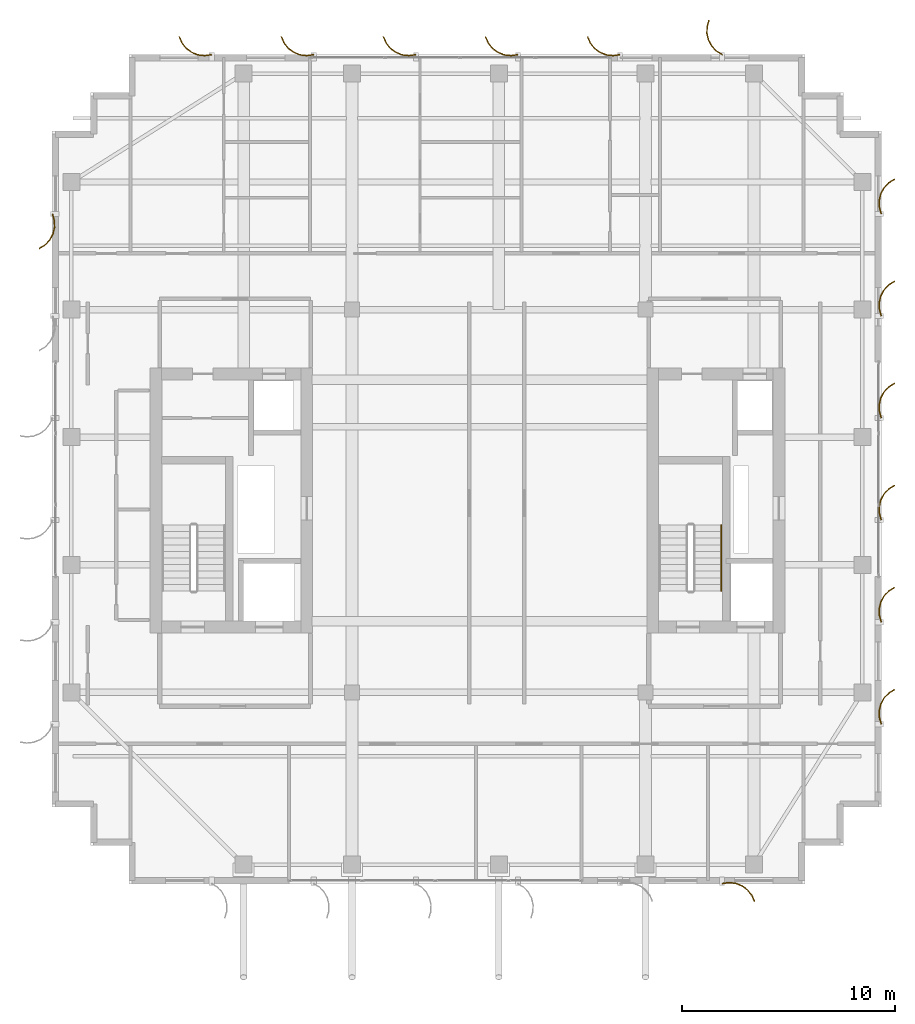
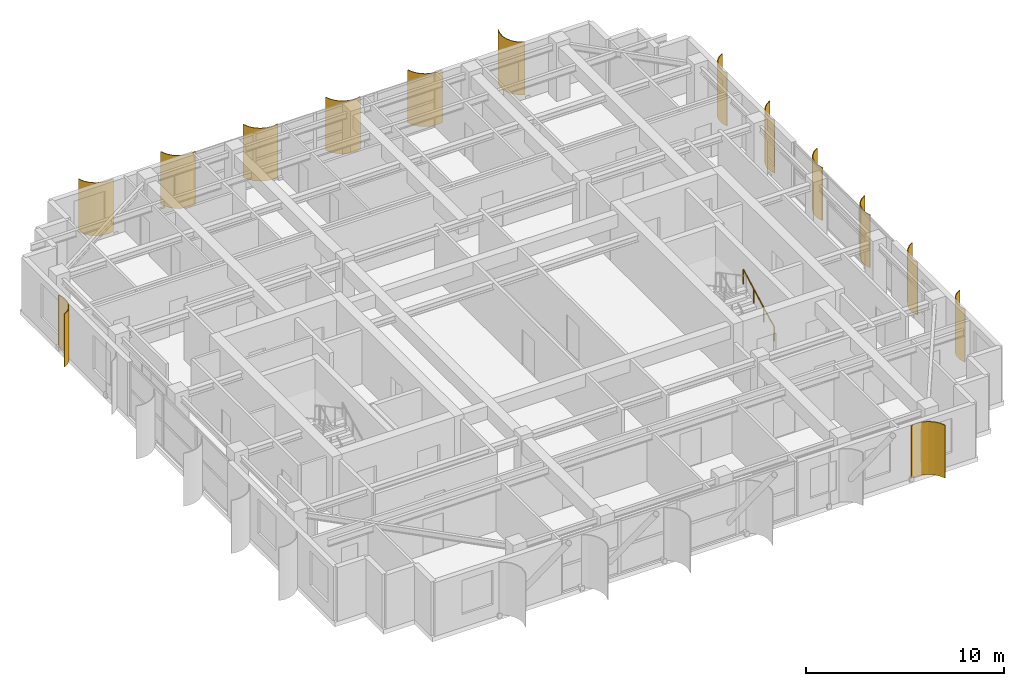
# One storey, part 22 of 22: 14 shading devices, 1 railing.
"""IFC4 building model written with IfcOpenShell, lengths in metres."""

from ifc_helpers import new_model, si_unit, direction, frame, origin, origin_2d, place, context, subcontext, project, spatial, polyline, circle, outline, extrude, source, transform, mapped, material, layer, layer_set, type_object, element, save


model = new_model("IFC4")

# Units and contexts
model_context = context("Model", 3, precision=1e-05, world=origin(), true_north=direction((0.0, 1.0)))
body_context = subcontext(model_context, "Body", "Model", "MODEL_VIEW")
ifc_project = project(units=[si_unit("LENGTHUNIT", "METRE"), si_unit("AREAUNIT", "SQUARE_METRE"), si_unit("VOLUMEUNIT", "CUBIC_METRE"), si_unit("PLANEANGLEUNIT", "RADIAN"), si_unit("MASSUNIT", "GRAM", prefix="KILO")], contexts=[model_context])

# Site, building, storey
site_placement = place(None, origin())
site = spatial("IfcSite", under=ifc_project, at=site_placement, CompositionType="ELEMENT")
building_placement = place(site_placement, origin())
building = spatial("IfcBuilding", under=site, at=building_placement, Name="Khoralis Quay Care Tower", CompositionType="ELEMENT")
storey_placement = place(building_placement, frame((0.0, 0.0, 278.10009765625)))
storey = spatial("IfcBuildingStorey", under=building, at=storey_placement, Name="L73", CompositionType="ELEMENT", Elevation=278.10009765625)

# Railing
ifc_material_1 = material(Name="Brushed stainless steel", Category="steel")
railing_type = type_object("IfcRailingType", Name="RL-HAND-900", PredefinedType="HANDRAIL", material=ifc_material_1)
railing_placement = place(storey_placement, frame((34.469970703125, 16.77001953125, 0.16357421875)))
element("IfcRailing", 1, at=railing_placement, inside=storey, type_object=railing_type, Name="L73 ST-T2 stair handrail 1", PredefinedType="HANDRAIL", context=body_context, shape_type="SweptSolid", body=[
    extrude(circle(Radius=0.02392578125, at=origin_2d()), frame((0.0, 0.0, 0.8759765625), z_axis=(0.0, 0.884376766648, 0.46677375099), x_axis=(-1.0, 0.0, 0.0)), (0.0, 0.0, 1.0), 3.50537109375),
    extrude(circle(Radius=0.02099609375, at=origin_2d()), origin(), (0.0, 0.0, 1.0), 0.851806640625),
    extrude(circle(Radius=0.02099609375, at=origin_2d()), frame((0.0, 1.033447265625, 0.54541015625)), (0.0, 0.0, 1.0), 0.851806640625),
    extrude(circle(Radius=0.02099609375, at=origin_2d()), frame((0.0, 2.066650390625, 1.0908203125)), (0.0, 0.0, 1.0), 0.851806640625),
    extrude(circle(Radius=0.02099609375, at=origin_2d()), frame((0.0, 3.10009765625, 1.63623046875)), (0.0, 0.0, 1.0), 0.851806640625),
])

# Shading devices
ifc_material_2 = material(Name="Brushed pale anodised aluminium", Category="aluminium")
ifc_layer = layer(ifc_material_2, 0.044921875)
ifc_layer_set = layer_set([ifc_layer], Name="Brushed pale anodised aluminium")
shading_device_type = type_object("IfcShadingDeviceType", Name="SHD-FIN-1250", PredefinedType="USERDEFINED", material=ifc_layer_set)
shared_shape_1 = source(origin(), body_context, "Body", "SweptSolid", [
    extrude(outline(polyline([(0.0, 0.0), (0.17041015625, 0.2783203125), (0.4072265625, 0.5029296875), (0.694091796875, 0.658447265625), (1.01123046875, 0.734619140625), (1.33740234375, 0.72607421875), (1.650390625, 0.633544921875), (1.632080078125, 0.59228515625), (1.330322265625, 0.681640625), (1.015869140625, 0.68994140625), (0.710205078125, 0.616455078125), (0.43359375, 0.466552734375), (0.20556640625, 0.25), (0.041015625, -0.018310546875), (0.0, 0.0)])), origin(), (0.0, 0.0, 1.0), 3.259765625),
])
shading_device_placement = place(storey_placement, frame((34.5, 41.969970703125, 0.02001953125), z_axis=(0.0, 0.0, 1.0), x_axis=(0.0, 1.0, 0.0)))
element("IfcShadingDevice", 2, at=shading_device_placement, inside=storey, type_object=shading_device_type, Name="L73 Curved Solar Fin P1E10-01", ObjectType="FIN", PredefinedType="USERDEFINED", context=body_context, shape_type="MappedRepresentation", body=[
    mapped(shared_shape_1, transform((0.0, 0.0, 0.0), scale=1.0)),
])
shared_shape_2 = source(origin(), body_context, "Body", "SweptSolid", [
    extrude(outline(polyline([(0.0, 0.0), (-0.04833984375, 0.32275390625), (-0.01123046875, 0.64697265625), (0.1083984375, 0.950439453125), (0.302490234375, 1.212890625), (0.557861328125, 1.416015625), (0.85693359375, 1.546142578125), (0.869384765625, 1.5029296875), (0.5810546875, 1.37744140625), (0.334716796875, 1.181640625), (0.147705078125, 0.9287109375), (0.032470703125, 0.635986328125), (-0.003173828125, 0.323486328125), (0.043212890625, 0.012451171875), (0.0, 0.0)])), origin(), (0.0, 0.0, 1.0), 3.259765625),
])
for number, where, z_axis, x_axis, name in (
    (3, (34.5, 3.030029296875, 0.02001953125), (0.0, 0.0, 1.0), (0.0, -1.0, 0.0), "L73 Curved Solar Fin P1E0-06"),
    (4, (29.699951171875, 41.969970703125, 0.02001953125), (0.0, 0.0, 1.0), (0.0, 1.0, 0.0), "L73 Curved Solar Fin P1E10-02"),
    (5, (24.89990234375, 41.969970703125, 0.02001953125), (0.0, 0.0, 1.0), (0.0, 1.0, 0.0), "L73 Curved Solar Fin P1E10-03"),
    (6, (20.10009765625, 41.969970703125, 0.02001953125), (0.0, 0.0, 1.0), (0.0, 1.0, 0.0), "L73 Curved Solar Fin P1E10-04"),
    (7, (15.300048828125, 41.969970703125, 0.02001953125), (0.0, 0.0, 1.0), (0.0, 1.0, 0.0), "L73 Curved Solar Fin P1E10-05"),
    (8, (10.5, 41.969970703125, 0.02001953125), (0.0, 0.0, 1.0), (0.0, 1.0, 0.0), "L73 Curved Solar Fin P1E10-06"),
):
    element("IfcShadingDevice", number, at=place(storey_placement, frame(where, z_axis=z_axis, x_axis=x_axis)), inside=storey, type_object=shading_device_type, Name=name, ObjectType="FIN", PredefinedType="USERDEFINED", context=body_context, shape_type="MappedRepresentation", body=[
        mapped(shared_shape_2, transform((0.0, 0.0, 0.0), scale=1.0)),
    ])
shared_shape_3 = source(origin(), body_context, "Body", "SweptSolid", [
    extrude(outline(polyline([(0.0, 0.0), (-0.0927734375, 0.31298828125), (-0.101318359375, 0.63916015625), (-0.025146484375, 0.956298828125), (0.130615234375, 1.2431640625), (0.355224609375, 1.479736328125), (0.633544921875, 1.650390625), (0.65185546875, 1.609130859375), (0.383544921875, 1.44482421875), (0.1669921875, 1.216796875), (0.01708984375, 0.940185546875), (-0.056396484375, 0.63427734375), (-0.04833984375, 0.31982421875), (0.041015625, 0.018310546875), (0.0, 0.0)])), origin(), (0.0, 0.0, 1.0), 3.259765625),
])
for number, where, z_axis, x_axis, name in (
    (9, (41.969970703125, 10.5, 0.02001953125), (0.0, 0.0, 1.0), (1.0, 0.0, 0.0), "L73 Curved Solar Fin P1E5-01"),
    (10, (41.969970703125, 15.300048828125, 0.02001953125), (0.0, 0.0, 1.0), (1.0, 0.0, 0.0), "L73 Curved Solar Fin P1E5-02"),
    (11, (41.969970703125, 20.10009765625, 0.02001953125), (0.0, 0.0, 1.0), (1.0, 0.0, 0.0), "L73 Curved Solar Fin P1E5-03"),
    (12, (41.969970703125, 24.89990234375, 0.02001953125), (0.0, 0.0, 1.0), (1.0, 0.0, 0.0), "L73 Curved Solar Fin P1E5-04"),
    (13, (41.969970703125, 29.699951171875, 0.02001953125), (0.0, 0.0, 1.0), (1.0, 0.0, 0.0), "L73 Curved Solar Fin P1E5-05"),
    (14, (41.969970703125, 34.5, 0.02001953125), (0.0, 0.0, 1.0), (1.0, 0.0, 0.0), "L73 Curved Solar Fin P1E5-06"),
    (15, (3.030029296875, 34.5, 0.02001953125), (0.0, 0.0, 1.0), (-1.0, 0.0, 0.0), "L73 Curved Solar Fin P1E15-01"),
):
    element("IfcShadingDevice", number, at=place(storey_placement, frame(where, z_axis=z_axis, x_axis=x_axis)), inside=storey, type_object=shading_device_type, Name=name, ObjectType="FIN", PredefinedType="USERDEFINED", context=body_context, shape_type="MappedRepresentation", body=[
        mapped(shared_shape_3, transform((0.0, 0.0, 0.0), scale=1.0)),
    ])

save(model, "model.ifc")
